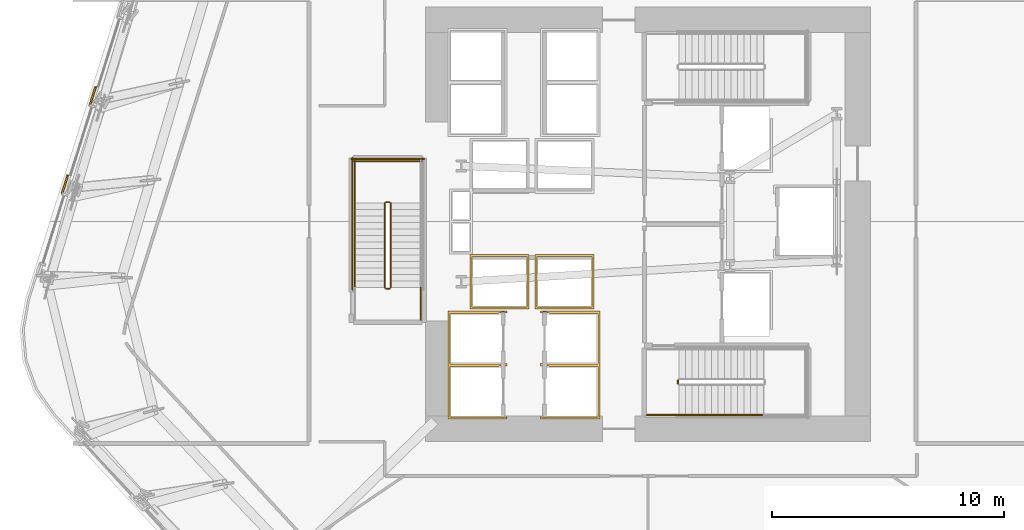
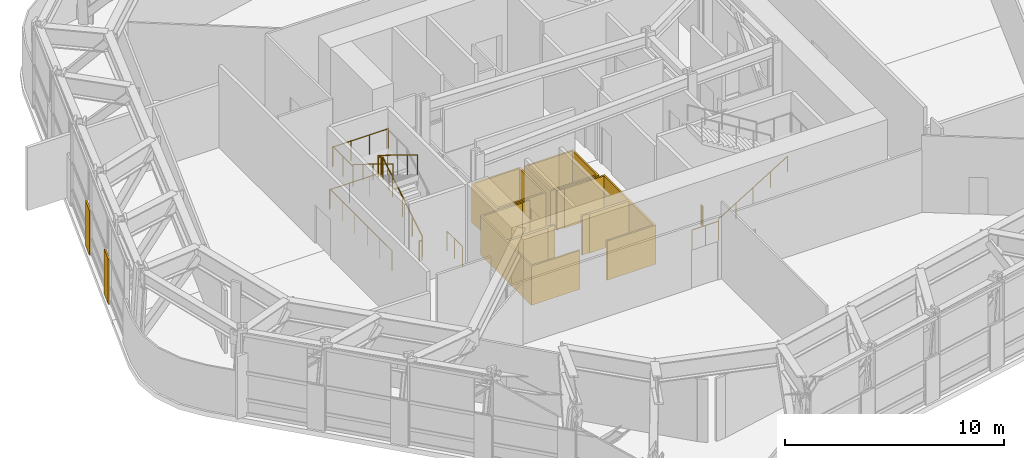
# One storey, part 12 of 16: 13 railings, 6 coverings.
"""IFC4 building model written with IfcOpenShell, lengths in metres."""

from ifc_helpers import new_model, si_unit, direction, frame, origin, origin_2d, place, context, subcontext, project, spatial, polyline, circle, outline, extrude, material, layer, layer_set, type_object, element, save


model = new_model("IFC4")

# Units and contexts
model_context = context("Model", 3, precision=1e-05, world=origin(), true_north=direction((0.0, 1.0)))
body_context = subcontext(model_context, "Body", "Model", "MODEL_VIEW")
ifc_project = project(units=[si_unit("LENGTHUNIT", "METRE"), si_unit("AREAUNIT", "SQUARE_METRE"), si_unit("VOLUMEUNIT", "CUBIC_METRE"), si_unit("PLANEANGLEUNIT", "RADIAN"), si_unit("MASSUNIT", "GRAM", prefix="KILO")], contexts=[model_context])

# Site, building, storey
site_placement = place(None, origin())
site = spatial("IfcSite", under=ifc_project, at=site_placement, CompositionType="ELEMENT")
building_placement = place(site_placement, origin())
building = spatial("IfcBuilding", under=site, at=building_placement, Name="Valkerne Bourse Tower", CompositionType="ELEMENT")
storey_placement = place(building_placement, frame((0.0, 0.0, 77.199951171875)))
storey = spatial("IfcBuildingStorey", under=building, at=storey_placement, Name="L19", CompositionType="ELEMENT", Elevation=77.199951171875)

# Coverings
ifc_material_1 = material(Name="Bronze Anodised Aluminium AA 6063-T6", Category="aluminium")
ifc_layer_1 = layer(ifc_material_1, 0.06005859375)
ifc_layer_set_1 = layer_set([ifc_layer_1], Name="Bronze Anodised Aluminium AA 6063-T6")
covering_type_1 = type_object("IfcCoveringType", Name="COV-CRN-ALUM", PredefinedType="CLADDING", material=ifc_layer_set_1)
covering_1_placement = place(storey_placement, origin())
element("IfcCovering", 1, at=covering_1_placement, inside=storey, type_object=covering_type_1, Name="L19 Wind-Shaped Corner Aluminium Cladding 12", PredefinedType="CLADDING", context=body_context, shape_type="SweptSolid", body=[
    extrude(outline(polyline([(21.72998046875, 29.01513671875), (21.806396484375, 28.9912109375), (21.5537109375, 28.190185546875), (21.477294921875, 28.214111328125), (21.72998046875, 29.01513671875)])), origin(), (0.0, 0.0, 1.0), 2.5),
])
covering_2_placement = place(storey_placement, origin())
element("IfcCovering", 2, at=covering_2_placement, inside=storey, type_object=covering_type_1, Name="L19 Wind-Shaped Corner Aluminium Cladding 13", PredefinedType="CLADDING", context=body_context, shape_type="SweptSolid", body=[
    extrude(outline(polyline([(22.931884765625, 32.826171875), (23.00830078125, 32.80224609375), (22.755615234375, 32.001220703125), (22.67919921875, 32.02490234375), (22.931884765625, 32.826171875)])), origin(), (0.0, 0.0, 1.0), 2.5),
])
ifc_material_2 = material(Name="Gypsum Shaftwall Liner Board", Category="gypsum")
ifc_layer_2 = layer(ifc_material_2, 0.080078125)
ifc_layer_set_2 = layer_set([ifc_layer_2], Name="Gypsum Shaftwall Liner Board")
covering_type_2 = type_object("IfcCoveringType", Name="COV-SHF-CLAD", PredefinedType="CLADDING", material=ifc_layer_set_2)
covering_3_placement = place(storey_placement, origin())
element("IfcCovering", 3, at=covering_3_placement, inside=storey, type_object=covering_type_2, Name="L19 Hoistway & Riser Shaftwall Liner 01", PredefinedType="CLADDING", context=body_context, shape_type="SweptSolid", body=[
    extrude(outline(polyline([(38.169921875, 23.1298828125), (40.72998046875, 23.1298828125), (40.72998046875, 23.052001953125), (40.72216796875, 23.0556640625), (40.6806640625, 23.070556640625), (40.6376953125, 23.081298828125), (40.593994140625, 23.087890625), (40.550048828125, 23.090087890625), (40.505859375, 23.087890625), (40.462158203125, 23.081298828125), (40.41943359375, 23.070556640625), (40.377685546875, 23.0556640625), (40.344482421875, 23.0400390625), (38.260009765625, 23.0400390625), (38.260009765625, 20.860107421875), (40.456787109375, 20.860107421875), (40.462158203125, 20.858642578125), (40.505859375, 20.852294921875), (40.550048828125, 20.85009765625), (40.593994140625, 20.852294921875), (40.6376953125, 20.858642578125), (40.6806640625, 20.869384765625), (40.72216796875, 20.88427734375), (40.72998046875, 20.887939453125), (40.72998046875, 20.830078125), (40.72998046875, 20.77001953125), (40.72998046875, 20.752197265625), (40.72216796875, 20.755615234375), (40.6806640625, 20.7705078125), (40.6376953125, 20.781494140625), (40.593994140625, 20.787841796875), (40.550048828125, 20.7900390625), (40.505859375, 20.787841796875), (40.462158203125, 20.781494140625), (40.41943359375, 20.7705078125), (40.377685546875, 20.755615234375), (40.344482421875, 20.739990234375), (38.260009765625, 20.739990234375), (38.260009765625, 18.56005859375), (40.456787109375, 18.56005859375), (40.462158203125, 18.55859375), (40.505859375, 18.55224609375), (40.550048828125, 18.550048828125), (40.593994140625, 18.55224609375), (40.6376953125, 18.55859375), (40.6806640625, 18.5693359375), (40.72216796875, 18.584228515625), (40.72998046875, 18.587890625), (40.72998046875, 18.469970703125), (38.169921875, 18.469970703125), (38.169921875, 20.77001953125), (38.169921875, 20.830078125), (38.169921875, 23.1298828125)])), origin(), (0.0, 0.0, 1.0), 2.179931640625),
])
covering_4_placement = place(storey_placement, origin())
element("IfcCovering", 4, at=covering_4_placement, inside=storey, type_object=covering_type_2, Name="L19 Hoistway & Riser Shaftwall Liner 02", PredefinedType="CLADDING", context=body_context, shape_type="SweptSolid", body=[
    extrude(outline(polyline([(41.679931640625, 23.219970703125), (39.1201171875, 23.219970703125), (39.1201171875, 25.580078125), (41.679931640625, 25.580078125), (41.679931640625, 23.219970703125)]), holes=[polyline([(39.2099609375, 25.489990234375), (39.2099609375, 23.31005859375), (41.590087890625, 23.31005859375), (41.590087890625, 25.489990234375), (39.2099609375, 25.489990234375)])]), origin(), (0.0, 0.0, 1.0), 2.179931640625),
])
covering_5_placement = place(storey_placement, origin())
element("IfcCovering", 5, at=covering_5_placement, inside=storey, type_object=covering_type_2, Name="L19 Hoistway & Riser Shaftwall Liner 03", PredefinedType="CLADDING", context=body_context, shape_type="SweptSolid", body=[
    extrude(outline(polyline([(44.47998046875, 23.219970703125), (41.919921875, 23.219970703125), (41.919921875, 25.580078125), (44.47998046875, 25.580078125), (44.47998046875, 23.219970703125)]), holes=[polyline([(42.010009765625, 25.489990234375), (42.010009765625, 23.31005859375), (44.389892578125, 23.31005859375), (44.389892578125, 25.489990234375), (42.010009765625, 25.489990234375)])]), origin(), (0.0, 0.0, 1.0), 2.179931640625),
])
covering_6_placement = place(storey_placement, origin())
element("IfcCovering", 6, at=covering_6_placement, inside=storey, type_object=covering_type_2, Name="L19 Hoistway & Riser Shaftwall Liner 06", PredefinedType="CLADDING", context=body_context, shape_type="SweptSolid", body=[
    extrude(outline(polyline([(42.169921875, 20.830078125), (42.169921875, 20.887939453125), (42.177734375, 20.88427734375), (42.219482421875, 20.869384765625), (42.26220703125, 20.858642578125), (42.305908203125, 20.852294921875), (42.35009765625, 20.85009765625), (42.39404296875, 20.852294921875), (42.437744140625, 20.858642578125), (42.443115234375, 20.860107421875), (44.639892578125, 20.860107421875), (44.639892578125, 23.0400390625), (42.555419921875, 23.0400390625), (42.522216796875, 23.0556640625), (42.480712890625, 23.070556640625), (42.437744140625, 23.081298828125), (42.39404296875, 23.087890625), (42.35009765625, 23.090087890625), (42.305908203125, 23.087890625), (42.26220703125, 23.081298828125), (42.219482421875, 23.070556640625), (42.177734375, 23.0556640625), (42.169921875, 23.052001953125), (42.169921875, 23.1298828125), (44.72998046875, 23.1298828125), (44.72998046875, 20.830078125), (44.72998046875, 20.77001953125), (44.72998046875, 18.469970703125), (42.169921875, 18.469970703125), (42.169921875, 18.587890625), (42.177734375, 18.584228515625), (42.219482421875, 18.5693359375), (42.26220703125, 18.55859375), (42.305908203125, 18.55224609375), (42.35009765625, 18.550048828125), (42.39404296875, 18.55224609375), (42.437744140625, 18.55859375), (42.443115234375, 18.56005859375), (44.639892578125, 18.56005859375), (44.639892578125, 20.739990234375), (42.555419921875, 20.739990234375), (42.522216796875, 20.755615234375), (42.480712890625, 20.7705078125), (42.437744140625, 20.781494140625), (42.39404296875, 20.787841796875), (42.35009765625, 20.7900390625), (42.305908203125, 20.787841796875), (42.26220703125, 20.781494140625), (42.219482421875, 20.7705078125), (42.177734375, 20.755615234375), (42.169921875, 20.752197265625), (42.169921875, 20.77001953125), (42.169921875, 20.830078125)])), origin(), (0.0, 0.0, 1.0), 2.179931640625),
])

# Railings
ifc_material_3 = material(Name="Galvanised Painted Steel", Category="steel")
railing_type_1 = type_object("IfcRailingType", Name="RLG-ST-GUARD-1120", PredefinedType="GUARDRAIL", material=ifc_material_3)
railing_1_placement = place(storey_placement, frame((48.10009765625, 20.0, 0.0)))
element("IfcRailing", 7, at=railing_1_placement, inside=storey, type_object=railing_type_1, Name="L19 ST-1 stair guard 7", PredefinedType="GUARDRAIL", context=body_context, shape_type="SweptSolid", body=[
    extrude(circle(Radius=0.02392578125, at=origin_2d()), frame((0.0, 0.0, 1.09619140625), z_axis=(0.0, 1.0, 0.0), x_axis=(-1.0, 0.0, 0.0)), (0.0, 0.0, 1.0), 0.14990234375),
    extrude(circle(Radius=0.02099609375, at=origin_2d()), origin(), (0.0, 0.0, 1.0), 1.072021484375),
    extrude(circle(Radius=0.02099609375, at=origin_2d()), frame((0.0, 0.14990234375, 0.0)), (0.0, 0.0, 1.0), 1.072021484375),
])
railing_2_placement = place(storey_placement, frame((46.75, 18.64990234375, 0.0)))
element("IfcRailing", 8, at=railing_2_placement, inside=storey, type_object=railing_type_1, Name="L19 ST-1 stair guard 8", PredefinedType="GUARDRAIL", context=body_context, shape_type="SweptSolid", body=[
    extrude(circle(Radius=0.02392578125, at=origin_2d()), frame((0.0, 0.0, 1.09619140625), z_axis=(1.0, 0.0, 0.0), x_axis=(0.0, 1.0, 0.0)), (0.0, 0.0, 1.0), 1.39990234375),
    extrude(circle(Radius=0.02099609375, at=origin_2d()), origin(), (0.0, 0.0, 1.0), 1.072021484375),
    extrude(circle(Radius=0.02099609375, at=origin_2d()), frame((0.699951171875, 0.0, 0.0)), (0.0, 0.0, 1.0), 1.072021484375),
    extrude(circle(Radius=0.02099609375, at=origin_2d()), frame((1.39990234375, 0.0, 0.0)), (0.0, 0.0, 1.0), 1.072021484375),
])
railing_3_placement = place(storey_placement, frame((35.699951171875, 24.14990234375, 0.17138671875)))
element("IfcRailing", 9, at=railing_3_placement, inside=storey, type_object=railing_type_1, Name="L19 ST-3 stair guard 1", PredefinedType="GUARDRAIL", context=body_context, shape_type="SweptSolid", body=[
    extrude(circle(Radius=0.02392578125, at=origin_2d()), frame((0.0, 0.0, 1.09619140625), z_axis=(0.0, 0.852840387347, 0.522171689878), x_axis=(-1.0, 0.0, 0.0)), (0.0, 0.0, 1.0), 4.268310546875),
    extrude(circle(Radius=0.02099609375, at=origin_2d()), origin(), (0.0, 0.0, 1.0), 1.072021484375),
    extrude(circle(Radius=0.02099609375, at=origin_2d()), frame((0.0, 0.91015625, 0.55712890625)), (0.0, 0.0, 1.0), 1.072021484375),
    extrude(circle(Radius=0.02099609375, at=origin_2d()), frame((0.0, 1.820068359375, 1.1142578125)), (0.0, 0.0, 1.0), 1.072021484375),
    extrude(circle(Radius=0.02099609375, at=origin_2d()), frame((0.0, 2.72998046875, 1.671630859375)), (0.0, 0.0, 1.0), 1.072021484375),
    extrude(circle(Radius=0.02099609375, at=origin_2d()), frame((0.0, 3.64013671875, 2.228759765625)), (0.0, 0.0, 1.0), 1.072021484375),
])
railing_4_placement = place(storey_placement, frame((35.64990234375, 27.840087890625, 2.400146484375)))
element("IfcRailing", 10, at=railing_4_placement, inside=storey, type_object=railing_type_1, Name="L19 ST-3 stair guard 2", PredefinedType="GUARDRAIL", context=body_context, shape_type="SweptSolid", body=[
    extrude(circle(Radius=0.02392578125, at=origin_2d()), frame((0.0, 0.0, 1.09619140625), z_axis=(-1.0, 0.0, 0.0), x_axis=(0.0, -1.0, 0.0)), (0.0, 0.0, 1.0), 0.14990234375),
    extrude(circle(Radius=0.02099609375, at=origin_2d()), origin(), (0.0, 0.0, 1.0), 1.072021484375),
    extrude(circle(Radius=0.02099609375, at=origin_2d()), frame((-0.14990234375, 0.0, 0.0)), (0.0, 0.0, 1.0), 1.072021484375),
])
railing_5_placement = place(storey_placement, frame((34.14990234375, 27.7900390625, 2.400146484375)))
element("IfcRailing", 11, at=railing_5_placement, inside=storey, type_object=railing_type_1, Name="L19 ST-3 stair guard 4", PredefinedType="GUARDRAIL", context=body_context, shape_type="SweptSolid", body=[
    extrude(circle(Radius=0.02392578125, at=origin_2d()), frame((0.0, 0.0, 1.09619140625), z_axis=(0.0, 1.0, 0.0), x_axis=(-1.0, 0.0, 0.0)), (0.0, 0.0, 1.0), 1.85986328125),
    extrude(circle(Radius=0.02099609375, at=origin_2d()), origin(), (0.0, 0.0, 1.0), 1.072021484375),
    extrude(circle(Radius=0.02099609375, at=origin_2d()), frame((0.0, 0.929931640625, 0.0)), (0.0, 0.0, 1.0), 1.072021484375),
    extrude(circle(Radius=0.02099609375, at=origin_2d()), frame((0.0, 1.85986328125, 0.0)), (0.0, 0.0, 1.0), 1.072021484375),
])
railing_6_placement = place(storey_placement, frame((37.050048828125, 29.60009765625, 2.400146484375)))
element("IfcRailing", 12, at=railing_6_placement, inside=storey, type_object=railing_type_1, Name="L19 ST-3 stair guard 5", PredefinedType="GUARDRAIL", context=body_context, shape_type="SweptSolid", body=[
    extrude(circle(Radius=0.02392578125, at=origin_2d()), frame((0.0, 0.0, 1.09619140625), z_axis=(-1.0, 0.0, 0.0), x_axis=(0.0, -1.0, 0.0)), (0.0, 0.0, 1.0), 2.949951171875),
    extrude(circle(Radius=0.02099609375, at=origin_2d()), origin(), (0.0, 0.0, 1.0), 1.072021484375),
    extrude(circle(Radius=0.02099609375, at=origin_2d()), frame((-0.9833984375, 0.0, 0.0)), (0.0, 0.0, 1.0), 1.072021484375),
    extrude(circle(Radius=0.02099609375, at=origin_2d()), frame((-1.966552734375, 0.0, 0.0)), (0.0, 0.0, 1.0), 1.072021484375),
    extrude(circle(Radius=0.02099609375, at=origin_2d()), frame((-2.949951171875, 0.0, 0.0)), (0.0, 0.0, 1.0), 1.072021484375),
])
railing_7_placement = place(storey_placement, frame((35.449951171875, 27.7900390625, 2.571533203125)))
element("IfcRailing", 13, at=railing_7_placement, inside=storey, type_object=railing_type_1, Name="L19 ST-3 stair guard 6", PredefinedType="GUARDRAIL", context=body_context, shape_type="SweptSolid", body=[
    extrude(circle(Radius=0.02392578125, at=origin_2d()), frame((0.0, 0.0, 1.09619140625), z_axis=(0.0, -0.852865859571, 0.52213008492), x_axis=(1.0, 0.0, 0.0)), (0.0, 0.0, 1.0), 4.26806640625),
    extrude(circle(Radius=0.02099609375, at=origin_2d()), origin(), (0.0, 0.0, 1.0), 1.072021484375),
    extrude(circle(Radius=0.02099609375, at=origin_2d()), frame((0.0, -0.91015625, 0.55712890625)), (0.0, 0.0, 1.0), 1.072021484375),
    extrude(circle(Radius=0.02099609375, at=origin_2d()), frame((0.0, -1.820068359375, 1.1142578125)), (0.0, 0.0, 1.0), 1.072021484375),
    extrude(circle(Radius=0.02099609375, at=origin_2d()), frame((0.0, -2.72998046875, 1.67138671875)), (0.0, 0.0, 1.0), 1.072021484375),
    extrude(circle(Radius=0.02099609375, at=origin_2d()), frame((0.0, -3.64013671875, 2.228515625)), (0.0, 0.0, 1.0), 1.072021484375),
])
railing_8_placement = place(storey_placement, frame((35.64990234375, 24.10009765625, 0.0)))
element("IfcRailing", 14, at=railing_8_placement, inside=storey, type_object=railing_type_1, Name="L19 ST-3 stair guard 7", PredefinedType="GUARDRAIL", context=body_context, shape_type="SweptSolid", body=[
    extrude(circle(Radius=0.02392578125, at=origin_2d()), frame((0.0, 0.0, 1.09619140625), z_axis=(-1.0, 0.0, 0.0), x_axis=(0.0, -1.0, 0.0)), (0.0, 0.0, 1.0), 0.14990234375),
    extrude(circle(Radius=0.02099609375, at=origin_2d()), origin(), (0.0, 0.0, 1.0), 1.072021484375),
    extrude(circle(Radius=0.02099609375, at=origin_2d()), frame((-0.14990234375, 0.0, 0.0)), (0.0, 0.0, 1.0), 1.072021484375),
])
railing_9_placement = place(storey_placement, frame((37.0, 22.75, 0.0)))
element("IfcRailing", 15, at=railing_9_placement, inside=storey, type_object=railing_type_1, Name="L19 ST-3 stair guard 8", PredefinedType="GUARDRAIL", context=body_context, shape_type="SweptSolid", body=[
    extrude(circle(Radius=0.02392578125, at=origin_2d()), frame((0.0, 0.0, 1.09619140625), z_axis=(0.0, 1.0, 0.0), x_axis=(-1.0, 0.0, 0.0)), (0.0, 0.0, 1.0), 1.39990234375),
    extrude(circle(Radius=0.02099609375, at=origin_2d()), origin(), (0.0, 0.0, 1.0), 1.072021484375),
    extrude(circle(Radius=0.02099609375, at=origin_2d()), frame((0.0, 0.699951171875, 0.0)), (0.0, 0.0, 1.0), 1.072021484375),
    extrude(circle(Radius=0.02099609375, at=origin_2d()), frame((0.0, 1.39990234375, 0.0)), (0.0, 0.0, 1.0), 1.072021484375),
])
railing_10_placement = place(storey_placement, frame((34.050048828125, 24.050048828125, 0.0)))
element("IfcRailing", 16, at=railing_10_placement, inside=storey, type_object=railing_type_1, Name="L19 ST-3 stair guard 11", PredefinedType="GUARDRAIL", context=body_context, shape_type="SweptSolid", body=[
    extrude(circle(Radius=0.02392578125, at=origin_2d()), frame((0.0, 0.0, 1.09619140625), z_axis=(0.0, 1.0, 0.0), x_axis=(-1.0, 0.0, 0.0)), (0.0, 0.0, 1.0), 5.699951171875),
    extrude(circle(Radius=0.02099609375, at=origin_2d()), origin(), (0.0, 0.0, 1.0), 1.072021484375),
    extrude(circle(Radius=0.02099609375, at=origin_2d()), frame((0.0, 1.139892578125, 0.0)), (0.0, 0.0, 1.0), 1.072021484375),
    extrude(circle(Radius=0.02099609375, at=origin_2d()), frame((0.0, 2.280029296875, 0.0)), (0.0, 0.0, 1.0), 1.072021484375),
    extrude(circle(Radius=0.02099609375, at=origin_2d()), frame((0.0, 3.419921875, 0.0)), (0.0, 0.0, 1.0), 1.072021484375),
    extrude(circle(Radius=0.02099609375, at=origin_2d()), frame((0.0, 4.56005859375, 0.0)), (0.0, 0.0, 1.0), 1.072021484375),
    extrude(circle(Radius=0.02099609375, at=origin_2d()), frame((0.0, 5.699951171875, 0.0)), (0.0, 0.0, 1.0), 1.072021484375),
])
railing_11_placement = place(storey_placement, frame((37.14990234375, 29.699951171875, 0.0)))
element("IfcRailing", 17, at=railing_11_placement, inside=storey, type_object=railing_type_1, Name="L19 ST-3 stair guard 12", PredefinedType="GUARDRAIL", context=body_context, shape_type="SweptSolid", body=[
    extrude(circle(Radius=0.02392578125, at=origin_2d()), frame((0.0, 0.0, 1.09619140625), z_axis=(-1.0, 0.0, 0.0), x_axis=(0.0, -1.0, 0.0)), (0.0, 0.0, 1.0), 3.14990234375),
    extrude(circle(Radius=0.02099609375, at=origin_2d()), origin(), (0.0, 0.0, 1.0), 1.072021484375),
    extrude(circle(Radius=0.02099609375, at=origin_2d()), frame((-1.050048828125, 0.0, 0.0)), (0.0, 0.0, 1.0), 1.072021484375),
    extrude(circle(Radius=0.02099609375, at=origin_2d()), frame((-2.099853515625, 0.0, 0.0)), (0.0, 0.0, 1.0), 1.072021484375),
    extrude(circle(Radius=0.02099609375, at=origin_2d()), frame((-3.14990234375, 0.0, 0.0)), (0.0, 0.0, 1.0), 1.072021484375),
])
ifc_material_4 = material(Name="Stainless Steel AISI 316", Category="steel")
railing_type_2 = type_object("IfcRailingType", Name="RLG-ST-HANDRAIL-900", PredefinedType="HANDRAIL", material=ifc_material_4)
railing_12_placement = place(storey_placement, frame((48.14990234375, 18.64990234375, 0.343017578125)))
element("IfcRailing", 18, at=railing_12_placement, inside=storey, type_object=railing_type_2, Name="L19 ST-1 stair handrail 1", PredefinedType="HANDRAIL", context=body_context, shape_type="SweptSolid", body=[
    extrude(circle(Radius=0.02392578125, at=origin_2d()), frame((0.0, 0.0, 0.8759765625), z_axis=(0.852865859571, 0.0, 0.52213008492), x_axis=(0.0, 1.0, 0.0)), (0.0, 0.0, 1.0), 4.26806640625),
    extrude(circle(Radius=0.02099609375, at=origin_2d()), origin(), (0.0, 0.0, 1.0), 0.851806640625),
    extrude(circle(Radius=0.02099609375, at=origin_2d()), frame((0.91015625, 0.0, 0.55712890625)), (0.0, 0.0, 1.0), 0.851806640625),
    extrude(circle(Radius=0.02099609375, at=origin_2d()), frame((1.820068359375, 0.0, 1.1142578125)), (0.0, 0.0, 1.0), 0.851806640625),
    extrude(circle(Radius=0.02099609375, at=origin_2d()), frame((2.72998046875, 0.0, 1.67138671875)), (0.0, 0.0, 1.0), 0.851806640625),
    extrude(circle(Radius=0.02099609375, at=origin_2d()), frame((3.64013671875, 0.0, 2.228515625)), (0.0, 0.0, 1.0), 0.851806640625),
])
railing_13_placement = place(storey_placement, frame((34.14990234375, 27.7900390625, 2.742919921875)))
element("IfcRailing", 19, at=railing_13_placement, inside=storey, type_object=railing_type_2, Name="L19 ST-3 stair handrail 2", PredefinedType="HANDRAIL", context=body_context, shape_type="SweptSolid", body=[
    extrude(circle(Radius=0.02392578125, at=origin_2d()), frame((0.0, 0.0, 0.8759765625), z_axis=(0.0, -0.852865859571, 0.52213008492), x_axis=(1.0, 0.0, 0.0)), (0.0, 0.0, 1.0), 4.26806640625),
    extrude(circle(Radius=0.02099609375, at=origin_2d()), origin(), (0.0, 0.0, 1.0), 0.851806640625),
    extrude(circle(Radius=0.02099609375, at=origin_2d()), frame((0.0, -0.91015625, 0.55712890625)), (0.0, 0.0, 1.0), 0.851806640625),
    extrude(circle(Radius=0.02099609375, at=origin_2d()), frame((0.0, -1.820068359375, 1.1142578125)), (0.0, 0.0, 1.0), 0.851806640625),
    extrude(circle(Radius=0.02099609375, at=origin_2d()), frame((0.0, -2.72998046875, 1.67138671875)), (0.0, 0.0, 1.0), 0.851806640625),
    extrude(circle(Radius=0.02099609375, at=origin_2d()), frame((0.0, -3.64013671875, 2.228515625)), (0.0, 0.0, 1.0), 0.851806640625),
])

save(model, "model.ifc")
